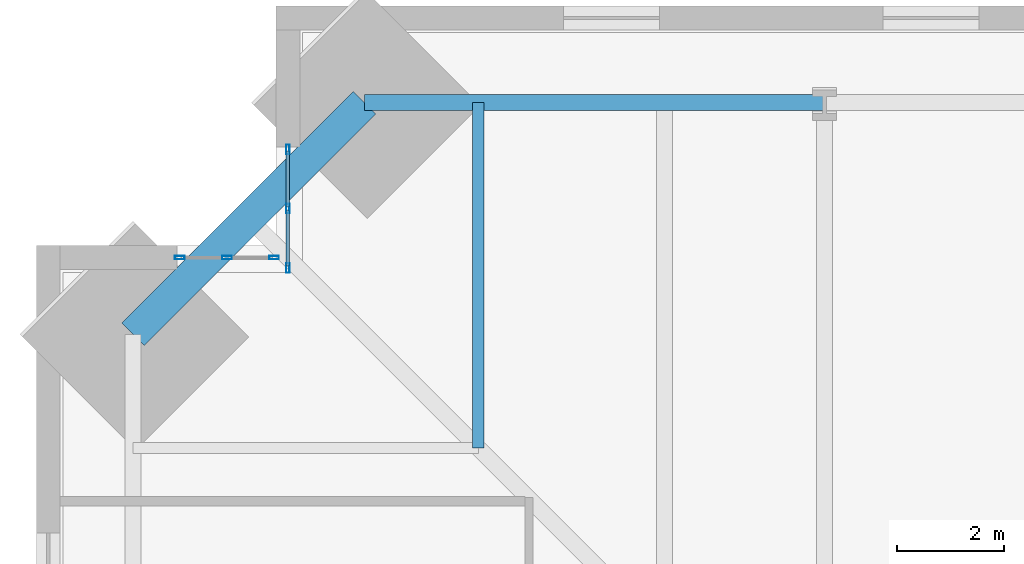
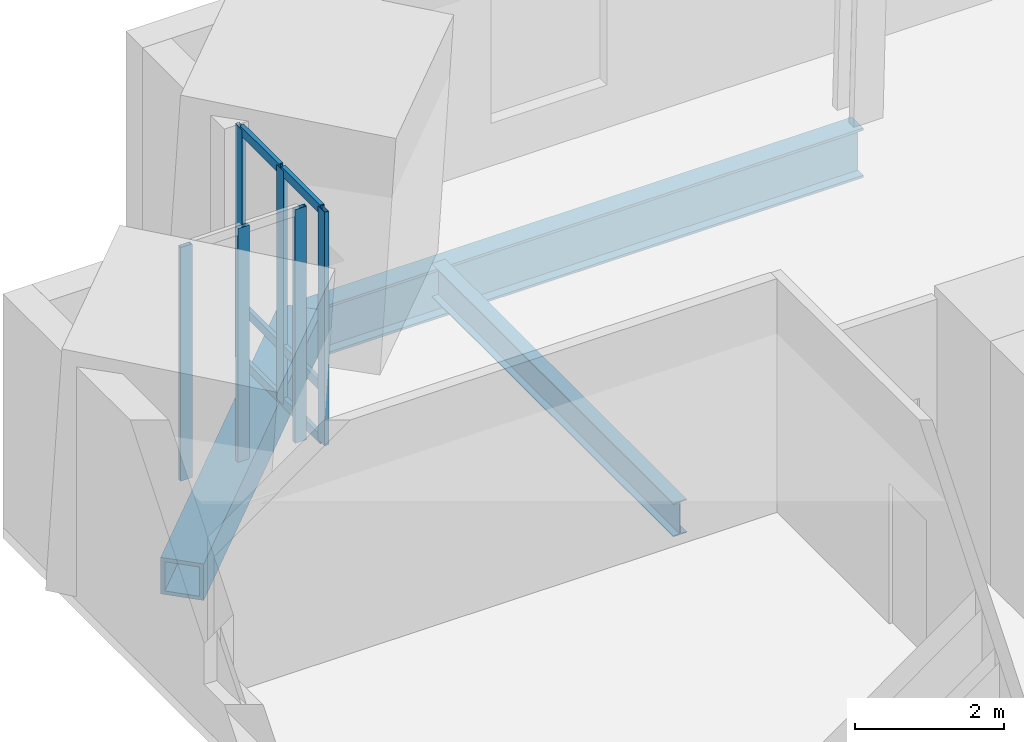
# One storey, part 6 of 15: 12 members, 3 beams, 2 elements without a shape of their own.
"""IFC4 building model written with IfcOpenShell, lengths in metres."""

from ifc_helpers import new_model, si_unit, direction, frame, origin, origin_2d, place, context, subcontext, project, spatial, hollow_rectangle, i_section, extrude, material, material_profile, profile_set, type_object, element, aggregate, save


model = new_model("IFC4")

# Units and contexts
model_context = context("Model", 3, precision=1e-05, world=origin(), true_north=direction((0.0, 1.0)))
body_context = subcontext(model_context, "Body", "Model", "MODEL_VIEW")
ifc_project = project(units=[si_unit("LENGTHUNIT", "METRE"), si_unit("AREAUNIT", "SQUARE_METRE"), si_unit("VOLUMEUNIT", "CUBIC_METRE"), si_unit("PLANEANGLEUNIT", "RADIAN"), si_unit("MASSUNIT", "GRAM", prefix="KILO")], contexts=[model_context])

# Site, building, storey
site_placement = place(None, origin())
site = spatial("IfcSite", under=ifc_project, at=site_placement, CompositionType="ELEMENT")
building_placement = place(site_placement, origin())
building = spatial("IfcBuilding", under=site, at=building_placement, Name="Peilmerk Tower", CompositionType="ELEMENT")
storey_placement = place(building_placement, frame((0.0, 0.0, 245.800048828125)))
storey = spatial("IfcBuildingStorey", under=building, at=storey_placement, Name="L54", CompositionType="ELEMENT", Elevation=245.800048828125)

# Beams
ifc_material_1 = material(Name="Steel S355", Category="steel")
ifc_material_profile_1 = material_profile(ifc_material_1, i_section(OverallWidth=0.2099609375, OverallDepth=0.550048828125, WebThickness=0.010986328125, FlangeThickness=0.01708984375, at=origin_2d()), Name="IPE 550")
ifc_profile_set_1 = profile_set([ifc_material_profile_1], Name="Steel S355")
beam_type_1 = type_object("IfcBeamType", Name="B12 IPE 550 floor beam", PredefinedType="BEAM", material=ifc_profile_set_1)
beam_1_placement = place(storey_placement, frame((-14.5, 14.5, -0.445068359375), z_axis=(0.0, 1.0, 0.0), x_axis=(-1.0, 0.0, 0.0)))
element("IfcBeam", 1, at=beam_1_placement, inside=storey, type_object=beam_type_1, Name="Floor beam L54", PredefinedType="BEAM", context=body_context, shape_type="SweptSolid", body=[
    extrude(i_section(OverallWidth=0.2099609375, OverallDepth=0.550048828125, WebThickness=0.010986328125, FlangeThickness=0.01708984375, at=origin_2d()), origin(), (0.0, 0.0, 1.0), 6.485595703125),
])
ifc_material_profile_2 = material_profile(ifc_material_1, i_section(OverallWidth=0.302978515625, OverallDepth=0.81396484375, WebThickness=0.02099609375, FlangeThickness=0.0400390625, at=origin_2d()), Name="HEM 800")
ifc_profile_set_2 = profile_set([ifc_material_profile_2], Name="Steel S355")
beam_type_2 = type_object("IfcBeamType", Name="B15 HEM 800 edge beam", PredefinedType="SPANDREL", material=ifc_profile_set_2)
beam_2_placement = place(storey_placement, frame((-8.0, 20.985595703125, -0.5771484375), z_axis=(-1.0, 0.0, 0.0), x_axis=(0.0, -1.0, 0.0)))
element("IfcBeam", 2, at=beam_2_placement, inside=storey, type_object=beam_type_2, Name="Edge beam L54", PredefinedType="SPANDREL", context=body_context, shape_type="SweptSolid", body=[
    extrude(i_section(OverallWidth=0.302978515625, OverallDepth=0.81396484375, WebThickness=0.02099609375, FlangeThickness=0.0400390625, at=origin_2d()), origin(), (0.0, 0.0, 1.0), 8.635498046875),
])
ifc_material_2 = material(Name="Steel S460", Category="steel")
ifc_material_profile_3 = material_profile(ifc_material_2, hollow_rectangle(XDim=0.60009765625, YDim=0.60009765625, WallThickness=0.06005859375, at=origin_2d()), Name="BOX 600x600x60")
ifc_profile_set_3 = profile_set([ifc_material_profile_3], Name="Steel S460")
beam_type_3 = type_object("IfcBeamType", Name="B20 BOX 600x600x60 notch beam", PredefinedType="SPANDREL", material=ifc_profile_set_3)
beam_3_placement = place(storey_placement, frame((-20.985595703125, 16.635498046875, -0.469970703125), z_axis=(0.707106781187, 0.707106781187, 0.0), x_axis=(-0.707106781187, 0.707106781187, 0.0)))
element("IfcBeam", 3, at=beam_3_placement, inside=storey, type_object=beam_type_3, Name="Notch beam L54", PredefinedType="SPANDREL", context=body_context, shape_type="SweptSolid", body=[
    extrude(hollow_rectangle(XDim=0.60009765625, YDim=0.60009765625, WallThickness=0.06005859375, at=origin_2d()), origin(), (0.0, 0.0, 1.0), 6.15185546875),
])

# Curtain wall, members
ifc_material_3 = material(Name="Aluminium stick curtain wall", Category="aluminium")
curtain_wall_type = type_object("IfcCurtainWallType", Name="CW4 stick curtain wall, 2250 module", PredefinedType="NOTDEFINED", material=ifc_material_3)
curtain_wall_1_placement = place(storey_placement, origin())
curtain_wall_1 = element("IfcCurtainWall", 4, at=curtain_wall_1_placement, inside=storey, type_object=curtain_wall_type, Name="Curtain wall CW4 NWA L54", PredefinedType="NOTDEFINED")
ifc_material_4 = material(Name="Aluminium EN AW-6063 T6", Category="aluminium")
ifc_material_profile_4 = material_profile(ifc_material_4, hollow_rectangle(XDim=0.06494140625, YDim=0.179931640625, WallThickness=0.0029296875, at=origin_2d()), Name="AL 180x65x3")
ifc_profile_set_4 = profile_set([ifc_material_profile_4], Name="Aluminium EN AW-6063 T6")
member_type_1 = type_object("IfcMemberType", Name="CW4-M AL 180x65x3 mullion", PredefinedType="MULLION", material=ifc_profile_set_4)
member_1_placement = place(storey_placement, frame((-18.074951171875, 17.882568359375, 0.0), z_axis=(0.0, 0.0, 1.0), x_axis=(-1.0, 0.0, 0.0)))
member_1 = element("IfcMember", 5, at=member_1_placement, type_object=member_type_1, Name="CW4 mullion 1", PredefinedType="MULLION", context=body_context, shape_type="SweptSolid", body=[
    extrude(hollow_rectangle(XDim=0.06494140625, YDim=0.179931640625, WallThickness=0.0029296875, at=origin_2d()), origin(), (0.0, 0.0, 1.0), 3.829833984375),
])
member_2_placement = place(storey_placement, frame((-18.074951171875, 18.994384765625, 0.0), z_axis=(0.0, 0.0, 1.0), x_axis=(-1.0, 0.0, 0.0)))
member_2 = element("IfcMember", 6, at=member_2_placement, type_object=member_type_1, Name="CW4 mullion 2", PredefinedType="MULLION", context=body_context, shape_type="SweptSolid", body=[
    extrude(hollow_rectangle(XDim=0.06494140625, YDim=0.179931640625, WallThickness=0.0029296875, at=origin_2d()), origin(), (0.0, 0.0, 1.0), 3.829833984375),
])
member_3_placement = place(storey_placement, frame((-18.074951171875, 20.106201171875, 0.0), z_axis=(0.0, 0.0, 1.0), x_axis=(-1.0, 0.0, 0.0)))
member_3 = element("IfcMember", 7, at=member_3_placement, type_object=member_type_1, Name="CW4 mullion 3", PredefinedType="MULLION", context=body_context, shape_type="SweptSolid", body=[
    extrude(hollow_rectangle(XDim=0.06494140625, YDim=0.179931640625, WallThickness=0.0029296875, at=origin_2d()), origin(), (0.0, 0.0, 1.0), 3.829833984375),
])

curtain_wall_2_placement = place(storey_placement, origin())
curtain_wall_2 = element("IfcCurtainWall", 8, at=curtain_wall_2_placement, inside=storey, type_object=curtain_wall_type, Name="Curtain wall CW4 NWB L54", PredefinedType="NOTDEFINED")
member_4_placement = place(storey_placement, frame((-18.33251953125, 18.074951171875, 0.0), z_axis=(0.0, 0.0, 1.0), x_axis=(0.0, -1.0, 0.0)))
member_4 = element("IfcMember", 9, at=member_4_placement, type_object=member_type_1, Name="CW4 mullion 1", PredefinedType="MULLION", context=body_context, shape_type="SweptSolid", body=[
    extrude(hollow_rectangle(XDim=0.06494140625, YDim=0.179931640625, WallThickness=0.0029296875, at=origin_2d()), origin(), (0.0, 0.0, 1.0), 3.829833984375),
])
member_5_placement = place(storey_placement, frame((-19.21923828125, 18.074951171875, 0.0), z_axis=(0.0, 0.0, 1.0), x_axis=(0.0, -1.0, 0.0)))
member_5 = element("IfcMember", 10, at=member_5_placement, type_object=member_type_1, Name="CW4 mullion 2", PredefinedType="MULLION", context=body_context, shape_type="SweptSolid", body=[
    extrude(hollow_rectangle(XDim=0.06494140625, YDim=0.179931640625, WallThickness=0.0029296875, at=origin_2d()), origin(), (0.0, 0.0, 1.0), 3.829833984375),
])
member_6_placement = place(storey_placement, frame((-20.106201171875, 18.074951171875, 0.0), z_axis=(0.0, 0.0, 1.0), x_axis=(0.0, -1.0, 0.0)))
member_6 = element("IfcMember", 11, at=member_6_placement, type_object=member_type_1, Name="CW4 mullion 3", PredefinedType="MULLION", context=body_context, shape_type="SweptSolid", body=[
    extrude(hollow_rectangle(XDim=0.06494140625, YDim=0.179931640625, WallThickness=0.0029296875, at=origin_2d()), origin(), (0.0, 0.0, 1.0), 3.829833984375),
])
aggregate(curtain_wall_2, [member_4, member_5, member_6])

# Member
ifc_material_profile_5 = material_profile(ifc_material_4, hollow_rectangle(XDim=0.06494140625, YDim=0.14990234375, WallThickness=0.0029296875, at=origin_2d()), Name="AL 150x65x3")
ifc_profile_set_5 = profile_set([ifc_material_profile_5], Name="Aluminium EN AW-6063 T6")
member_type_2 = type_object("IfcMemberType", Name="CW4-T AL 150x65x3 transom", PredefinedType="USERDEFINED", material=ifc_profile_set_5)
member_7_placement = place(storey_placement, frame((-18.074951171875, 17.9150390625, 0.032470703125), z_axis=(0.0, 1.0, 0.0), x_axis=(-1.0, 0.0, 0.0)))
member_7 = element("IfcMember", 12, at=member_7_placement, type_object=member_type_2, Name="CW4 transom 1.1", ObjectType="TRANSOM", PredefinedType="USERDEFINED", context=body_context, shape_type="SweptSolid", body=[
    extrude(hollow_rectangle(XDim=0.06494140625, YDim=0.14990234375, WallThickness=0.0029296875, at=origin_2d()), origin(), (0.0, 0.0, 1.0), 1.046875),
])

member_8_placement = place(storey_placement, frame((-18.074951171875, 17.9150390625, 0.89990234375), z_axis=(0.0, 1.0, 0.0), x_axis=(-1.0, 0.0, 0.0)))
member_8 = element("IfcMember", 13, at=member_8_placement, type_object=member_type_2, Name="CW4 transom 1.2", ObjectType="TRANSOM", PredefinedType="USERDEFINED", context=body_context, shape_type="SweptSolid", body=[
    extrude(hollow_rectangle(XDim=0.06494140625, YDim=0.14990234375, WallThickness=0.0029296875, at=origin_2d()), origin(), (0.0, 0.0, 1.0), 1.046875),
])

member_9_placement = place(storey_placement, frame((-18.074951171875, 17.9150390625, 3.79736328125), z_axis=(0.0, 1.0, 0.0), x_axis=(-1.0, 0.0, 0.0)))
member_9 = element("IfcMember", 14, at=member_9_placement, type_object=member_type_2, Name="CW4 transom 1.3", ObjectType="TRANSOM", PredefinedType="USERDEFINED", context=body_context, shape_type="SweptSolid", body=[
    extrude(hollow_rectangle(XDim=0.06494140625, YDim=0.14990234375, WallThickness=0.0029296875, at=origin_2d()), origin(), (0.0, 0.0, 1.0), 1.046875),
])

member_10_placement = place(storey_placement, frame((-18.074951171875, 19.02685546875, 0.032470703125), z_axis=(0.0, 1.0, 0.0), x_axis=(-1.0, 0.0, 0.0)))
member_10 = element("IfcMember", 15, at=member_10_placement, type_object=member_type_2, Name="CW4 transom 2.1", ObjectType="TRANSOM", PredefinedType="USERDEFINED", context=body_context, shape_type="SweptSolid", body=[
    extrude(hollow_rectangle(XDim=0.06494140625, YDim=0.14990234375, WallThickness=0.0029296875, at=origin_2d()), origin(), (0.0, 0.0, 1.0), 1.046875),
])

member_11_placement = place(storey_placement, frame((-18.074951171875, 19.02685546875, 0.89990234375), z_axis=(0.0, 1.0, 0.0), x_axis=(-1.0, 0.0, 0.0)))
member_11 = element("IfcMember", 16, at=member_11_placement, type_object=member_type_2, Name="CW4 transom 2.2", ObjectType="TRANSOM", PredefinedType="USERDEFINED", context=body_context, shape_type="SweptSolid", body=[
    extrude(hollow_rectangle(XDim=0.06494140625, YDim=0.14990234375, WallThickness=0.0029296875, at=origin_2d()), origin(), (0.0, 0.0, 1.0), 1.046875),
])

member_12_placement = place(storey_placement, frame((-18.074951171875, 19.02685546875, 3.79736328125), z_axis=(0.0, 1.0, 0.0), x_axis=(-1.0, 0.0, 0.0)))
member_12 = element("IfcMember", 17, at=member_12_placement, type_object=member_type_2, Name="CW4 transom 2.3", ObjectType="TRANSOM", PredefinedType="USERDEFINED", context=body_context, shape_type="SweptSolid", body=[
    extrude(hollow_rectangle(XDim=0.06494140625, YDim=0.14990234375, WallThickness=0.0029296875, at=origin_2d()), origin(), (0.0, 0.0, 1.0), 1.046875),
])

aggregate(curtain_wall_1, [member_1, member_2, member_3, member_7, member_8, member_9, member_10, member_11, member_12])

save(model, "model.ifc")
